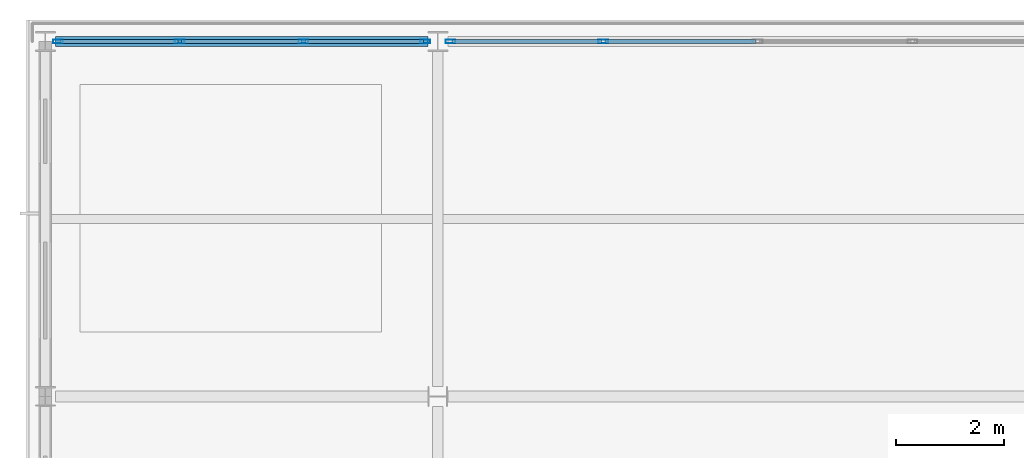
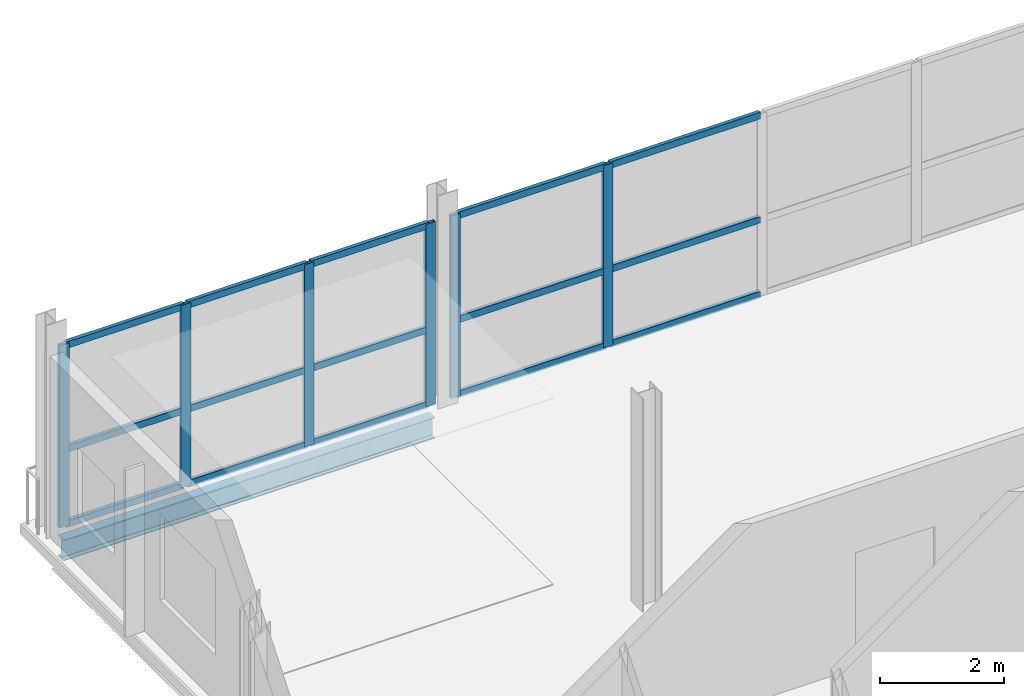
# One storey, part 10 of 19: 21 members, 1 beam, 2 elements without a shape of their own.
"""IFC4 building model written with IfcOpenShell, lengths in metres."""

from ifc_helpers import new_model, si_unit, direction, frame, origin, origin_2d, place, context, subcontext, project, spatial, hollow_rectangle, i_section, extrude, material, layer, layer_set, material_profile, profile_set, type_object, element, aggregate, save


model = new_model("IFC4")

# Units and contexts
model_context = context("Model", 3, precision=1e-05, world=origin(), true_north=direction((0.0, 1.0)))
body_context = subcontext(model_context, "Body", "Model", "MODEL_VIEW")
ifc_project = project(units=[si_unit("LENGTHUNIT", "METRE"), si_unit("AREAUNIT", "SQUARE_METRE"), si_unit("VOLUMEUNIT", "CUBIC_METRE"), si_unit("PLANEANGLEUNIT", "RADIAN"), si_unit("MASSUNIT", "GRAM", prefix="KILO")], contexts=[model_context])

# Site, building, storey
site_placement = place(None, origin())
site = spatial("IfcSite", under=ifc_project, at=site_placement, CompositionType="ELEMENT")
building_placement = place(site_placement, origin())
building = spatial("IfcBuilding", under=site, at=building_placement, Name="Quillay Park Conservatory", CompositionType="ELEMENT")
storey_placement = place(building_placement, frame((0.0, 0.0, 35.10009765625)))
storey = spatial("IfcBuildingStorey", under=building, at=storey_placement, Name="L08", CompositionType="ELEMENT", Elevation=35.10009765625)

# Curtain wall, members
ifc_material_1 = material(Name="Thermally Broken Anodised Aluminium 6063-T6", Category="aluminium")
ifc_layer = layer(ifc_material_1, 0.179931640625)
ifc_layer_set = layer_set([ifc_layer], Name="UNITISED CURTAIN WALL TOWER (Thermally Broken Anodised Aluminium 6063-T6)")
curtain_wall_type = type_object("IfcCurtainWallType", Name="UNITISED CURTAIN WALL TOWER", PredefinedType="USERDEFINED", material=ifc_layer_set)
curtain_wall_1_placement = place(storey_placement, origin())
curtain_wall_1 = element("IfcCurtainWall", 1, at=curtain_wall_1_placement, inside=storey, type_object=curtain_wall_type, Name="L08 Unitised Curtain Wall 084", ObjectType="UNITISED CURTAIN WALL", PredefinedType="USERDEFINED")
ifc_material_2 = material(Name="Thermally Broken Anodised Aluminium 6063-T6", Category="aluminium")
ifc_material_profile_1 = material_profile(ifc_material_2, hollow_rectangle(XDim=0.070068359375, YDim=0.179931640625, WallThickness=0.00390625, at=origin_2d()), Name="AL70x180x4")
ifc_profile_set_1 = profile_set([ifc_material_profile_1], Name="Thermally Broken Anodised Aluminium 6063-T6")
member_type_1 = type_object("IfcMemberType", Name="CURTAIN WALL MULLION 70 X180", PredefinedType="MULLION", material=ifc_profile_set_1)
member_1_placement = place(storey_placement, frame((0.784912109375, 113.39990234375, 0.0), z_axis=(0.0, 0.0, 1.0), x_axis=(0.0, 1.0, 0.0)))
member_1 = element("IfcMember", 2, at=member_1_placement, type_object=member_type_1, Name="CW-T1 mullion 1", PredefinedType="MULLION", context=body_context, shape_type="SweptSolid", body=[
    extrude(hollow_rectangle(XDim=0.070068359375, YDim=0.179931640625, WallThickness=0.00390625, at=origin_2d()), origin(), (0.0, 0.0, 1.0), 3.598876953125),
])
member_2_placement = place(storey_placement, frame((3.050048828125, 113.39990234375, 0.0), z_axis=(0.0, 0.0, 1.0), x_axis=(0.0, 1.0, 0.0)))
member_2 = element("IfcMember", 3, at=member_2_placement, type_object=member_type_1, Name="CW-T1 mullion 2", PredefinedType="MULLION", context=body_context, shape_type="SweptSolid", body=[
    extrude(hollow_rectangle(XDim=0.070068359375, YDim=0.179931640625, WallThickness=0.00390625, at=origin_2d()), origin(), (0.0, 0.0, 1.0), 3.598876953125),
])
member_3_placement = place(storey_placement, frame((5.35009765625, 113.39990234375, 0.0), z_axis=(0.0, 0.0, 1.0), x_axis=(0.0, 1.0, 0.0)))
member_3 = element("IfcMember", 4, at=member_3_placement, type_object=member_type_1, Name="CW-T1 mullion 3", PredefinedType="MULLION", context=body_context, shape_type="SweptSolid", body=[
    extrude(hollow_rectangle(XDim=0.070068359375, YDim=0.179931640625, WallThickness=0.00390625, at=origin_2d()), origin(), (0.0, 0.0, 1.0), 3.598876953125),
])
member_4_placement = place(storey_placement, frame((7.614990234375, 113.39990234375, 0.0), z_axis=(0.0, 0.0, 1.0), x_axis=(0.0, 1.0, 0.0)))
member_4 = element("IfcMember", 5, at=member_4_placement, type_object=member_type_1, Name="CW-T1 mullion 4", PredefinedType="MULLION", context=body_context, shape_type="SweptSolid", body=[
    extrude(hollow_rectangle(XDim=0.070068359375, YDim=0.179931640625, WallThickness=0.00390625, at=origin_2d()), origin(), (0.0, 0.0, 1.0), 3.598876953125),
])

curtain_wall_2_placement = place(storey_placement, origin())
curtain_wall_2 = element("IfcCurtainWall", 6, at=curtain_wall_2_placement, inside=storey, type_object=curtain_wall_type, Name="L08 Unitised Curtain Wall 085", ObjectType="UNITISED CURTAIN WALL", PredefinedType="USERDEFINED")
member_5_placement = place(storey_placement, frame((8.0849609375, 113.39990234375, 0.0), z_axis=(0.0, 0.0, 1.0), x_axis=(0.0, 1.0, 0.0)))
member_5 = element("IfcMember", 7, at=member_5_placement, type_object=member_type_1, Name="CW-T1 mullion 1", PredefinedType="MULLION", context=body_context, shape_type="SweptSolid", body=[
    extrude(hollow_rectangle(XDim=0.070068359375, YDim=0.179931640625, WallThickness=0.00390625, at=origin_2d()), origin(), (0.0, 0.0, 1.0), 3.598876953125),
])
member_6_placement = place(storey_placement, frame((10.925048828125, 113.39990234375, 0.0), z_axis=(0.0, 0.0, 1.0), x_axis=(0.0, 1.0, 0.0)))
member_6 = element("IfcMember", 8, at=member_6_placement, type_object=member_type_1, Name="CW-T1 mullion 2", PredefinedType="MULLION", context=body_context, shape_type="SweptSolid", body=[
    extrude(hollow_rectangle(XDim=0.070068359375, YDim=0.179931640625, WallThickness=0.00390625, at=origin_2d()), origin(), (0.0, 0.0, 1.0), 3.598876953125),
])

# Member
ifc_material_3 = material(Name="Thermally Broken Anodised Aluminium 6063-T6", Category="aluminium")
ifc_material_profile_2 = material_profile(ifc_material_3, hollow_rectangle(XDim=0.070068359375, YDim=0.1298828125, WallThickness=0.003173828125, at=origin_2d()), Name="AL70x130x3.2")
ifc_profile_set_2 = profile_set([ifc_material_profile_2], Name="Thermally Broken Anodised Aluminium 6063-T6")
member_type_2 = type_object("IfcMemberType", Name="CURTAIN WALL TRANSOM 70 X130", PredefinedType="USERDEFINED", material=ifc_profile_set_2)
member_7_placement = place(storey_placement, frame((0.820068359375, 113.39990234375, 0.034912109375), z_axis=(1.0, 0.0, 0.0), x_axis=(0.0, 1.0, 0.0)))
member_7 = element("IfcMember", 9, at=member_7_placement, type_object=member_type_2, Name="CW-T1 transom 1.1", ObjectType="TRANSOM", PredefinedType="USERDEFINED", context=body_context, shape_type="SweptSolid", body=[
    extrude(hollow_rectangle(XDim=0.070068359375, YDim=0.1298828125, WallThickness=0.003173828125, at=origin_2d()), origin(), (0.0, 0.0, 1.0), 2.19482421875),
])

member_8_placement = place(storey_placement, frame((0.820068359375, 113.39990234375, 1.511474609375), z_axis=(1.0, 0.0, 0.0), x_axis=(0.0, 1.0, 0.0)))
member_8 = element("IfcMember", 10, at=member_8_placement, type_object=member_type_2, Name="CW-T1 transom 1.2", ObjectType="TRANSOM", PredefinedType="USERDEFINED", context=body_context, shape_type="SweptSolid", body=[
    extrude(hollow_rectangle(XDim=0.070068359375, YDim=0.1298828125, WallThickness=0.003173828125, at=origin_2d()), origin(), (0.0, 0.0, 1.0), 2.19482421875),
])

member_9_placement = place(storey_placement, frame((0.820068359375, 113.39990234375, 3.56396484375), z_axis=(1.0, 0.0, 0.0), x_axis=(0.0, 1.0, 0.0)))
member_9 = element("IfcMember", 11, at=member_9_placement, type_object=member_type_2, Name="CW-T1 transom 1.3", ObjectType="TRANSOM", PredefinedType="USERDEFINED", context=body_context, shape_type="SweptSolid", body=[
    extrude(hollow_rectangle(XDim=0.070068359375, YDim=0.1298828125, WallThickness=0.003173828125, at=origin_2d()), origin(), (0.0, 0.0, 1.0), 2.19482421875),
])

member_10_placement = place(storey_placement, frame((3.0849609375, 113.39990234375, 0.034912109375), z_axis=(1.0, 0.0, 0.0), x_axis=(0.0, 1.0, 0.0)))
member_10 = element("IfcMember", 12, at=member_10_placement, type_object=member_type_2, Name="CW-T1 transom 2.1", ObjectType="TRANSOM", PredefinedType="USERDEFINED", context=body_context, shape_type="SweptSolid", body=[
    extrude(hollow_rectangle(XDim=0.070068359375, YDim=0.1298828125, WallThickness=0.003173828125, at=origin_2d()), origin(), (0.0, 0.0, 1.0), 2.22998046875),
])

member_11_placement = place(storey_placement, frame((3.0849609375, 113.39990234375, 1.511474609375), z_axis=(1.0, 0.0, 0.0), x_axis=(0.0, 1.0, 0.0)))
member_11 = element("IfcMember", 13, at=member_11_placement, type_object=member_type_2, Name="CW-T1 transom 2.2", ObjectType="TRANSOM", PredefinedType="USERDEFINED", context=body_context, shape_type="SweptSolid", body=[
    extrude(hollow_rectangle(XDim=0.070068359375, YDim=0.1298828125, WallThickness=0.003173828125, at=origin_2d()), origin(), (0.0, 0.0, 1.0), 2.22998046875),
])

member_12_placement = place(storey_placement, frame((3.0849609375, 113.39990234375, 3.56396484375), z_axis=(1.0, 0.0, 0.0), x_axis=(0.0, 1.0, 0.0)))
member_12 = element("IfcMember", 14, at=member_12_placement, type_object=member_type_2, Name="CW-T1 transom 2.3", ObjectType="TRANSOM", PredefinedType="USERDEFINED", context=body_context, shape_type="SweptSolid", body=[
    extrude(hollow_rectangle(XDim=0.070068359375, YDim=0.1298828125, WallThickness=0.003173828125, at=origin_2d()), origin(), (0.0, 0.0, 1.0), 2.22998046875),
])

member_13_placement = place(storey_placement, frame((5.385009765625, 113.39990234375, 0.034912109375), z_axis=(1.0, 0.0, 0.0), x_axis=(0.0, 1.0, 0.0)))
member_13 = element("IfcMember", 15, at=member_13_placement, type_object=member_type_2, Name="CW-T1 transom 3.1", ObjectType="TRANSOM", PredefinedType="USERDEFINED", context=body_context, shape_type="SweptSolid", body=[
    extrude(hollow_rectangle(XDim=0.070068359375, YDim=0.1298828125, WallThickness=0.003173828125, at=origin_2d()), origin(), (0.0, 0.0, 1.0), 2.195068359375),
])

member_14_placement = place(storey_placement, frame((5.385009765625, 113.39990234375, 1.511474609375), z_axis=(1.0, 0.0, 0.0), x_axis=(0.0, 1.0, 0.0)))
member_14 = element("IfcMember", 16, at=member_14_placement, type_object=member_type_2, Name="CW-T1 transom 3.2", ObjectType="TRANSOM", PredefinedType="USERDEFINED", context=body_context, shape_type="SweptSolid", body=[
    extrude(hollow_rectangle(XDim=0.070068359375, YDim=0.1298828125, WallThickness=0.003173828125, at=origin_2d()), origin(), (0.0, 0.0, 1.0), 2.195068359375),
])

member_15_placement = place(storey_placement, frame((5.385009765625, 113.39990234375, 3.56396484375), z_axis=(1.0, 0.0, 0.0), x_axis=(0.0, 1.0, 0.0)))
member_15 = element("IfcMember", 17, at=member_15_placement, type_object=member_type_2, Name="CW-T1 transom 3.3", ObjectType="TRANSOM", PredefinedType="USERDEFINED", context=body_context, shape_type="SweptSolid", body=[
    extrude(hollow_rectangle(XDim=0.070068359375, YDim=0.1298828125, WallThickness=0.003173828125, at=origin_2d()), origin(), (0.0, 0.0, 1.0), 2.195068359375),
])

aggregate(curtain_wall_1, [member_1, member_2, member_3, member_4, member_7, member_8, member_9, member_10, member_11, member_12, member_13, member_14, member_15])

member_16_placement = place(storey_placement, frame((8.1201171875, 113.39990234375, 0.034912109375), z_axis=(1.0, 0.0, 0.0), x_axis=(0.0, 1.0, 0.0)))
member_16 = element("IfcMember", 18, at=member_16_placement, type_object=member_type_2, Name="CW-T1 transom 1.1", ObjectType="TRANSOM", PredefinedType="USERDEFINED", context=body_context, shape_type="SweptSolid", body=[
    extrude(hollow_rectangle(XDim=0.070068359375, YDim=0.1298828125, WallThickness=0.003173828125, at=origin_2d()), origin(), (0.0, 0.0, 1.0), 2.769775390625),
])

member_17_placement = place(storey_placement, frame((8.1201171875, 113.39990234375, 1.511474609375), z_axis=(1.0, 0.0, 0.0), x_axis=(0.0, 1.0, 0.0)))
member_17 = element("IfcMember", 19, at=member_17_placement, type_object=member_type_2, Name="CW-T1 transom 1.2", ObjectType="TRANSOM", PredefinedType="USERDEFINED", context=body_context, shape_type="SweptSolid", body=[
    extrude(hollow_rectangle(XDim=0.070068359375, YDim=0.1298828125, WallThickness=0.003173828125, at=origin_2d()), origin(), (0.0, 0.0, 1.0), 2.769775390625),
])

member_18_placement = place(storey_placement, frame((8.1201171875, 113.39990234375, 3.56396484375), z_axis=(1.0, 0.0, 0.0), x_axis=(0.0, 1.0, 0.0)))
member_18 = element("IfcMember", 20, at=member_18_placement, type_object=member_type_2, Name="CW-T1 transom 1.3", ObjectType="TRANSOM", PredefinedType="USERDEFINED", context=body_context, shape_type="SweptSolid", body=[
    extrude(hollow_rectangle(XDim=0.070068359375, YDim=0.1298828125, WallThickness=0.003173828125, at=origin_2d()), origin(), (0.0, 0.0, 1.0), 2.769775390625),
])

member_19_placement = place(storey_placement, frame((10.9599609375, 113.39990234375, 0.034912109375), z_axis=(1.0, 0.0, 0.0), x_axis=(0.0, 1.0, 0.0)))
member_19 = element("IfcMember", 21, at=member_19_placement, type_object=member_type_2, Name="CW-T1 transom 2.1", ObjectType="TRANSOM", PredefinedType="USERDEFINED", context=body_context, shape_type="SweptSolid", body=[
    extrude(hollow_rectangle(XDim=0.070068359375, YDim=0.1298828125, WallThickness=0.003173828125, at=origin_2d()), origin(), (0.0, 0.0, 1.0), 2.804931640625),
])

member_20_placement = place(storey_placement, frame((10.9599609375, 113.39990234375, 1.511474609375), z_axis=(1.0, 0.0, 0.0), x_axis=(0.0, 1.0, 0.0)))
member_20 = element("IfcMember", 22, at=member_20_placement, type_object=member_type_2, Name="CW-T1 transom 2.2", ObjectType="TRANSOM", PredefinedType="USERDEFINED", context=body_context, shape_type="SweptSolid", body=[
    extrude(hollow_rectangle(XDim=0.070068359375, YDim=0.1298828125, WallThickness=0.003173828125, at=origin_2d()), origin(), (0.0, 0.0, 1.0), 2.804931640625),
])

member_21_placement = place(storey_placement, frame((10.9599609375, 113.39990234375, 3.56396484375), z_axis=(1.0, 0.0, 0.0), x_axis=(0.0, 1.0, 0.0)))
member_21 = element("IfcMember", 23, at=member_21_placement, type_object=member_type_2, Name="CW-T1 transom 2.3", ObjectType="TRANSOM", PredefinedType="USERDEFINED", context=body_context, shape_type="SweptSolid", body=[
    extrude(hollow_rectangle(XDim=0.070068359375, YDim=0.1298828125, WallThickness=0.003173828125, at=origin_2d()), origin(), (0.0, 0.0, 1.0), 2.804931640625),
])

aggregate(curtain_wall_2, [member_5, member_6, member_16, member_17, member_18, member_19, member_20, member_21])

# Beam
ifc_material_4 = material(Name="Steel ASTM A992 Grade 50", Category="steel")
ifc_material_profile_3 = material_profile(ifc_material_4, i_section(OverallWidth=0.179931640625, OverallDepth=0.4130859375, WebThickness=0.009765625, FlangeThickness=0.01611328125, FilletRadius=0.011962890625, at=origin_2d()), Name="W410x74")
ifc_profile_set_3 = profile_set([ifc_material_profile_3], Name="Steel ASTM A992 Grade 50")
beam_type = type_object("IfcBeamType", Name="PERIMETER SPANDREL BEAM W410 X74", PredefinedType="SPANDREL", material=ifc_profile_set_3)
beam_placement = place(storey_placement, frame((0.737060546875, 113.39990234375, -0.421630859375), z_axis=(1.0, 0.0, 0.0), x_axis=(0.0, 1.0, 0.0)))
element("IfcBeam", 24, at=beam_placement, inside=storey, type_object=beam_type, Name="L08 beam BM-SP-0603", PredefinedType="SPANDREL", context=body_context, shape_type="SweptSolid", body=[
    extrude(i_section(OverallWidth=0.179931640625, OverallDepth=0.4130859375, WebThickness=0.009765625, FlangeThickness=0.01611328125, FilletRadius=0.011962890625, at=origin_2d()), origin(), (0.0, 0.0, 1.0), 6.927001953125),
])

save(model, "model.ifc")
